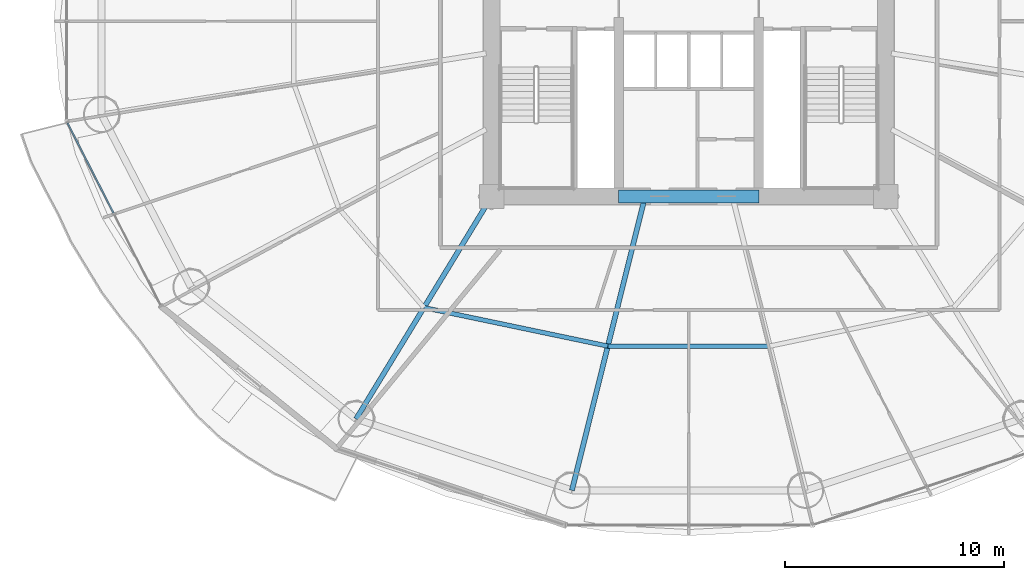
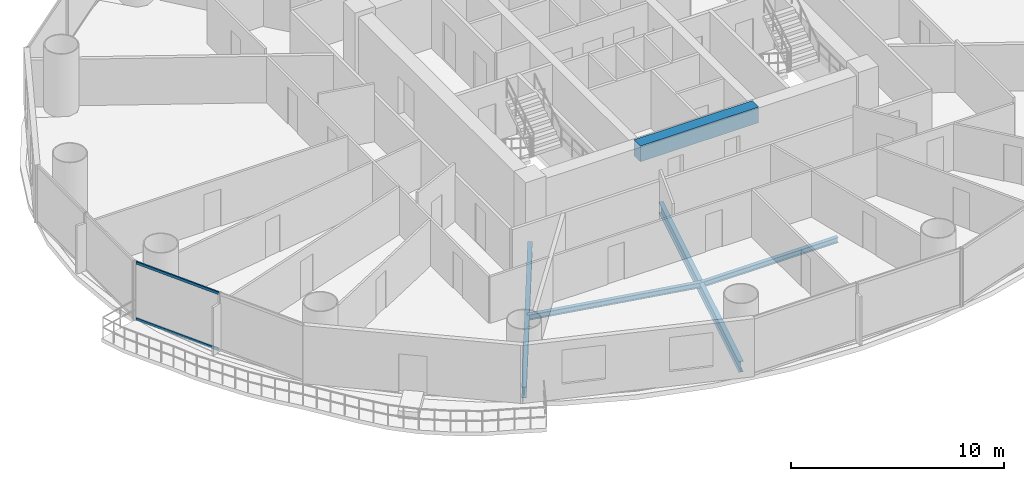
# One storey, part 5 of 29: 5 beams, 2 members, 1 element without a shape of its own.
"""IFC4 building model written with IfcOpenShell, lengths in metres."""

from ifc_helpers import new_model, si_unit, direction, frame, origin, origin_2d, place, context, subcontext, project, spatial, rectangle, hollow_rectangle, i_section, extrude, source, transform, mapped, material, material_profile, profile_set, type_object, element, aggregate, save


model = new_model("IFC4")

# Units and contexts
model_context = context("Model", 3, precision=1e-05, world=origin(), true_north=direction((-0.2419218956, 0.970295726276)))
body_context = subcontext(model_context, "Body", "Model", "MODEL_VIEW")
ifc_project = project(units=[si_unit("LENGTHUNIT", "METRE"), si_unit("AREAUNIT", "SQUARE_METRE"), si_unit("VOLUMEUNIT", "CUBIC_METRE"), si_unit("PLANEANGLEUNIT", "RADIAN"), si_unit("MASSUNIT", "GRAM", prefix="KILO")], contexts=[model_context])

# Site, building, storey
site_placement = place(None, origin())
site = spatial("IfcSite", under=ifc_project, at=site_placement, CompositionType="ELEMENT")
building_placement = place(site_placement, origin())
building = spatial("IfcBuilding", under=site, at=building_placement, Name="Cobrevalo Terracotta Tower", CompositionType="ELEMENT")
storey_placement = place(building_placement, frame((0.0, 0.0, 49.199951171875)))
storey = spatial("IfcBuildingStorey", under=building, at=storey_placement, Name="L12", CompositionType="ELEMENT", Elevation=49.199951171875)

# Beams
ifc_material_1 = material(Name="Concrete C60", Category="concrete")
ifc_material_profile_1 = material_profile(ifc_material_1, rectangle(XDim=0.60009765625, YDim=0.89990234375, at=origin_2d()), Name="RC CB 600x900")
ifc_profile_set_1 = profile_set([ifc_material_profile_1], Name="Concrete C60")
beam_type_1 = type_object("IfcBeamType", Name="Structural Beam RC CB 600x900 (Concrete C60)", PredefinedType="BEAM", material=ifc_profile_set_1)
beam_1_placement = place(storey_placement, frame((34.800048828125, 18.800048828125, 2.8701171875), z_axis=(1.0, 0.0, 0.0), x_axis=(0.0, 1.0, 0.0)))
element("IfcBeam", 1, at=beam_1_placement, inside=storey, type_object=beam_type_1, Name="L12 core coupling beam 1", PredefinedType="BEAM", context=body_context, shape_type="SweptSolid", body=[
    extrude(rectangle(XDim=0.60009765625, YDim=0.89990234375, at=origin_2d()), origin(), (0.0, 0.0, 1.0), 6.39990234375),
])
ifc_material_2 = material(Name="Steel S355", Category="steel")
ifc_material_profile_2 = material_profile(ifc_material_2, i_section(OverallWidth=0.22998046875, OverallDepth=0.616943359375, WebThickness=0.01318359375, FlangeThickness=0.022216796875, at=origin_2d()), Name="W 610x140")
ifc_profile_set_2 = profile_set([ifc_material_profile_2], Name="Steel S355")
beam_type_2 = type_object("IfcBeamType", Name="Structural Beam W 610x140 (Steel S355)", PredefinedType="BEAM", material=ifc_profile_set_2)
beam_2_placement = place(storey_placement, frame((22.80517578125, 8.63232421875, -0.58837890625), z_axis=(0.520300780853, 0.853983077961, 0.0), x_axis=(-0.853983077961, 0.520300780853, 0.0)))
element("IfcBeam", 2, at=beam_2_placement, inside=storey, type_object=beam_type_2, Name="L12 radial floor girder 11", PredefinedType="BEAM", context=body_context, shape_type="SweptSolid", body=[
    extrude(i_section(OverallWidth=0.22998046875, OverallDepth=0.616943359375, WebThickness=0.01318359375, FlangeThickness=0.022216796875, at=origin_2d()), origin(), (0.0, 0.0, 1.0), 11.90625),
])
beam_3_placement = place(storey_placement, frame((32.664306640625, 5.369873046875, -0.58837890625), z_axis=(0.241600470374, 0.970375810042, 0.0), x_axis=(-0.970375810042, 0.241600470374, 0.0)))
element("IfcBeam", 3, at=beam_3_placement, inside=storey, type_object=beam_type_2, Name="L12 radial floor girder 12", PredefinedType="BEAM", context=body_context, shape_type="SweptSolid", body=[
    extrude(i_section(OverallWidth=0.22998046875, OverallDepth=0.616943359375, WebThickness=0.01318359375, FlangeThickness=0.022216796875, at=origin_2d()), origin(), (0.0, 0.0, 1.0), 13.5771484375),
])
ifc_material_profile_3 = material_profile(ifc_material_2, i_section(OverallWidth=0.2041015625, OverallDepth=0.305908203125, WebThickness=0.008544921875, FlangeThickness=0.0146484375, at=origin_2d()), Name="W 310x67")
ifc_profile_set_3 = profile_set([ifc_material_profile_3], Name="Steel S355")
beam_type_3 = type_object("IfcBeamType", Name="Structural Joist W 310x67 (Steel S355)", PredefinedType="JOIST", material=ifc_profile_set_3)
beam_4_placement = place(storey_placement, frame((25.902587890625, 13.71630859375, -0.432861328125), z_axis=(0.978784523904, -0.204892302848, 0.0), x_axis=(0.204892302848, 0.978784523904, 0.0)))
element("IfcBeam", 4, at=beam_4_placement, inside=storey, type_object=beam_type_3, Name="L12 circumferential secondary floor joist 11", PredefinedType="JOIST", context=body_context, shape_type="SweptSolid", body=[
    extrude(i_section(OverallWidth=0.2041015625, OverallDepth=0.305908203125, WebThickness=0.008544921875, FlangeThickness=0.0146484375, at=origin_2d()), origin(), (0.0, 0.0, 1.0), 8.583984375),
])
beam_5_placement = place(storey_placement, frame((34.304443359375, 11.95751953125, -0.432861328125), z_axis=(1.0, 0.0, 0.0), x_axis=(0.0, 1.0, 0.0)))
element("IfcBeam", 5, at=beam_5_placement, inside=storey, type_object=beam_type_3, Name="L12 circumferential secondary floor joist 12", PredefinedType="JOIST", context=body_context, shape_type="SweptSolid", body=[
    extrude(i_section(OverallWidth=0.2041015625, OverallDepth=0.305908203125, WebThickness=0.008544921875, FlangeThickness=0.0146484375, at=origin_2d()), origin(), (0.0, 0.0, 1.0), 7.39111328125),
])

# Curtain wall, members
ifc_material_3 = material(Name="Anodized aluminium", Category="aluminium")
curtain_wall_type = type_object("IfcCurtainWallType", Name="Lower-tower unitised acoustic low-E curtain wall CW-U1", PredefinedType="NOTDEFINED", material=ifc_material_3)
curtain_wall_placement = place(storey_placement, origin())
curtain_wall = element("IfcCurtainWall", 6, at=curtain_wall_placement, inside=storey, type_object=curtain_wall_type, Name="L12 curtain wall CW-L12-S09", PredefinedType="NOTDEFINED")
ifc_material_profile_4 = material_profile(ifc_material_3, hollow_rectangle(XDim=0.074951171875, YDim=0.14990234375, WallThickness=0.00439453125, at=origin_2d()), Name="CWT 75x150")
ifc_profile_set_4 = profile_set([ifc_material_profile_4], Name="Anodized aluminium")
member_type = type_object("IfcMemberType", Name="Tower unitised aluminium transom 75x150", PredefinedType="USERDEFINED", material=ifc_profile_set_4)
shared_shape = source(origin(), body_context, "Body", "SweptSolid", [
    extrude(hollow_rectangle(XDim=0.074951171875, YDim=0.14990234375, WallThickness=0.00439453125, at=origin_2d()), origin(), (0.0, 0.0, 1.0), 4.630859375),
])
member_1_placement = place(storey_placement, frame((9.623046875, 22.14990234375, 0.050048828125), z_axis=(0.455229952508, -0.890373904795, 0.0), x_axis=(0.890373904795, 0.455229952508, 0.0)))
member_1 = element("IfcMember", 7, at=member_1_placement, type_object=member_type, Name="CW-L12-S09 transom B01-T1", ObjectType="TRANSOM", PredefinedType="USERDEFINED", context=body_context, shape_type="MappedRepresentation", body=[
    mapped(shared_shape, transform((0.0, 0.0, 0.0), scale=1.0)),
])
member_2_placement = place(storey_placement, frame((9.623046875, 22.14990234375, 3.27001953125), z_axis=(0.455229952508, -0.890373904795, 0.0), x_axis=(0.890373904795, 0.455229952508, 0.0)))
member_2 = element("IfcMember", 8, at=member_2_placement, type_object=member_type, Name="CW-L12-S09 transom B01-T2", ObjectType="TRANSOM", PredefinedType="USERDEFINED", context=body_context, shape_type="MappedRepresentation", body=[
    mapped(shared_shape, transform((0.0, 0.0, 0.0), scale=1.0)),
])
aggregate(curtain_wall, [member_1, member_2])

save(model, "model.ifc")
